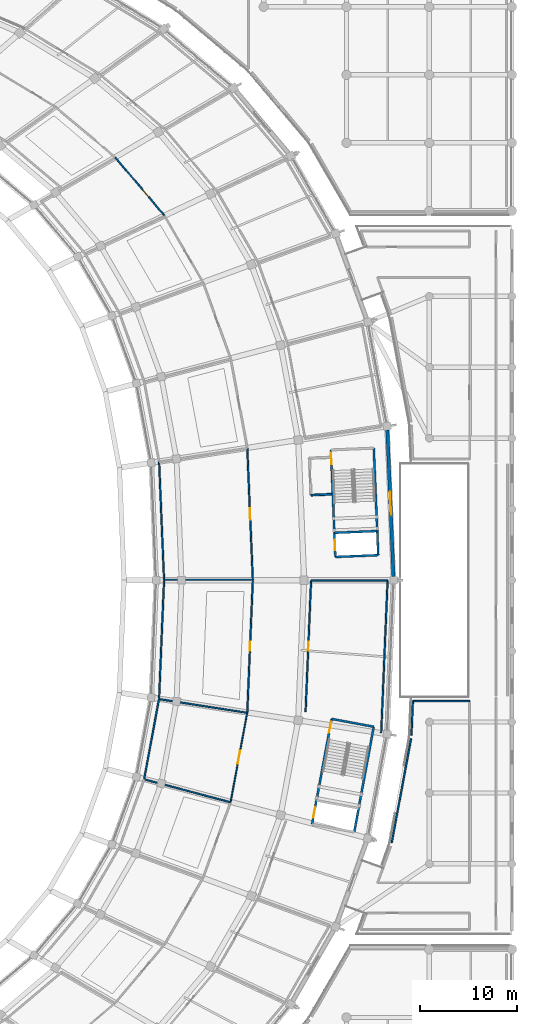
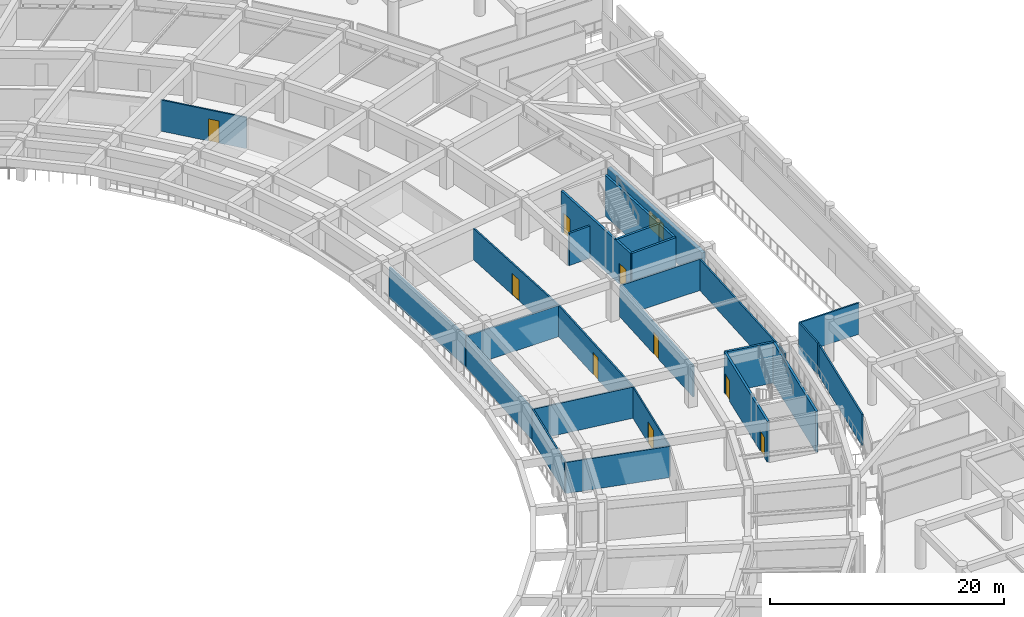
# One storey, part 104 of 145: 25 walls, 9 doors, 1 window, 10 openings.
"""IFC4 building model written with IfcOpenShell, lengths in metres."""

from ifc_helpers import new_model, si_unit, direction, frame, frame_2d, origin, place, context, subcontext, project, spatial, rectangle, extrude, material, layer, layer_set, type_object, element, fill, save


model = new_model("IFC4")

# Units and contexts
model_context = context("Model", 3, precision=1e-05, world=origin(), true_north=direction((0.0, 1.0)))
body_context = subcontext(model_context, "Body", "Model", "MODEL_VIEW")
ifc_project = project(units=[si_unit("LENGTHUNIT", "METRE"), si_unit("AREAUNIT", "SQUARE_METRE"), si_unit("VOLUMEUNIT", "CUBIC_METRE"), si_unit("PLANEANGLEUNIT", "RADIAN"), si_unit("MASSUNIT", "GRAM", prefix="KILO")], contexts=[model_context])

# Site, building, storey
site_placement = place(None, origin())
site = spatial("IfcSite", under=ifc_project, at=site_placement, CompositionType="ELEMENT")
building_placement = place(site_placement, origin())
building = spatial("IfcBuilding", under=site, at=building_placement, Name="Mphavela Belvedere Stadium", CompositionType="ELEMENT")
storey_placement = place(building_placement, frame((0.0, 0.0, 10.199951171875)))
storey = spatial("IfcBuildingStorey", under=building, at=storey_placement, Name="L02", CompositionType="ELEMENT", Elevation=10.199951171875)

# Walls
ifc_material_1 = material(Name="Concrete C40/50", Category="concrete")
ifc_layer_1 = layer(ifc_material_1, 0.219970703125)
ifc_layer_set_1 = layer_set([ifc_layer_1], Name="Concrete C40/50")
wall_type_1 = type_object("IfcWallType", Name="WAL-CORE-SHEAR-220", PredefinedType="SHEAR", material=ifc_layer_set_1)
wall_1_placement = place(storey_placement, frame((215.771728515625, 100.585205078125, 0.0), z_axis=(0.0, 0.0, 1.0), x_axis=(0.041871977473, -0.999122984173, 0.0)))
element("IfcWall", 1, at=wall_1_placement, inside=storey, type_object=wall_type_1, Name="Core C01 shear wall L02 rear", PredefinedType="SHEAR", context=body_context, shape_type="SweptSolid", body=[
    extrude(rectangle(XDim=11.02001953125, YDim=0.219970703125, at=frame_2d((5.510009765625, 0.0))), origin(), (0.0, 0.0, 1.0), 4.25),
])
wall_2_placement = place(storey_placement, frame((211.826904296875, 89.39013671875, 0.0), z_axis=(0.0, 0.0, 1.0), x_axis=(0.999121521721, 0.041906859039, 0.0)))
element("IfcWall", 2, at=wall_2_placement, inside=storey, type_object=wall_type_1, Name="Core C01 shear wall L02 right", PredefinedType="SHEAR", context=body_context, shape_type="SweptSolid", body=[
    extrude(rectangle(XDim=4.41015625, YDim=0.219970703125, at=frame_2d((2.205078125, 0.0))), origin(), (0.0, 0.0, 1.0), 4.25),
])

# Wall, openings, doors
wall_3_placement = place(storey_placement, frame((211.365478515625, 100.400390625, 0.0), z_axis=(0.0, 0.0, 1.0), x_axis=(0.041871977473, -0.999122984173, 0.0)))
wall_3 = element("IfcWall", 3, at=wall_3_placement, inside=storey, type_object=wall_type_1, Name="Core C01 shear wall L02 front", PredefinedType="SHEAR", context=body_context, shape_type="SweptSolid", body=[
    extrude(rectangle(XDim=11.02001953125, YDim=0.219970703125, at=frame_2d((5.510009765625, 0.0))), origin(), (0.0, 0.0, 1.0), 4.25),
])
opening_1_placement = place(wall_3_placement, frame((0.300048828125, 0.0, 0.0)))
opening_1 = element("IfcOpeningElement", 4, at=opening_1_placement, cuts=wall_3, Name="Opening SD-003", PredefinedType="OPENING", context=body_context, shape_type="SweptSolid", body=[
    extrude(rectangle(XDim=1.14990234375, YDim=2.14990234375, at=frame_2d((0.574951171875, 1.074951171875))), frame((0.0, 0.1201171875, 0.0), z_axis=(0.0, -1.0, 0.0), x_axis=(1.0, 0.0, 0.0)), (0.0, 0.0, 1.0), 0.239990234375),
])
opening_2_placement = place(wall_3_placement, frame((9.22998046875, 0.0, 0.0)))
opening_2 = element("IfcOpeningElement", 5, at=opening_2_placement, cuts=wall_3, Name="Opening LD-003", PredefinedType="OPENING", context=body_context, shape_type="SweptSolid", body=[
    extrude(rectangle(XDim=1.10009765625, YDim=2.14990234375, at=frame_2d((0.550048828125, 1.074951171875))), frame((0.0, 0.1201171875, 0.0), z_axis=(0.0, -1.0, 0.0), x_axis=(1.0, 0.0, 0.0)), (0.0, 0.0, 1.0), 0.239990234375),
])
ifc_material_2 = material(Name="Stainless steel center-parting lift landing door", Category="steel")
door_type_1 = type_object("IfcDoorType", Name="DR-LIFT-SLIDE-1100", OperationType="NOTDEFINED", PredefinedType="DOOR", material=ifc_material_2)
door_1_placement = place(opening_2_placement, origin())
door_1 = element("IfcDoor", 6, at=door_1_placement, inside=storey, type_object=door_type_1, Name="Lift landing sliding door FL01 L02", OperationType="DOUBLE_DOOR_SLIDING", OverallHeight=2.14990234375, OverallWidth=1.10009765625, PredefinedType="DOOR", context=body_context, shape_type="SweptSolid", body=[
    extrude(rectangle(XDim=1.10009765625, YDim=2.14990234375, at=frame_2d((0.550048828125, 1.074951171875))), frame((0.0, 0.02490234375, 0.0), z_axis=(0.0, -1.0, 0.0), x_axis=(1.0, 0.0, 0.0)), (0.0, 0.0, 1.0), 0.050048828125),
])
fill(opening_2, door_1)
ifc_material_3 = material(Name="Steel acoustic fire-resisting stair doorset", Category="steel")
door_type_2 = type_object("IfcDoorType", Name="DR-STAIR-FIRE-1150", OperationType="NOTDEFINED", PredefinedType="DOOR", material=ifc_material_3)
door_2_placement = place(opening_1_placement, origin())
door_2 = element("IfcDoor", 7, at=door_2_placement, inside=storey, type_object=door_type_2, Name="Escape stair fire door C01 L02", OperationType="SINGLE_SWING_LEFT", OverallHeight=2.14990234375, OverallWidth=1.14990234375, PredefinedType="DOOR", context=body_context, shape_type="SweptSolid", body=[
    extrude(rectangle(XDim=1.14990234375, YDim=2.14990234375, at=frame_2d((0.574951171875, 1.074951171875))), frame((0.0, 0.02490234375, 0.0), z_axis=(0.0, -1.0, 0.0), x_axis=(1.0, 0.0, 0.0)), (0.0, 0.0, 1.0), 0.050048828125),
])
fill(opening_1, door_2)

# Walls
wall_4_placement = place(storey_placement, frame((211.72314453125, 91.867919921875, 0.0), z_axis=(0.0, 0.0, 1.0), x_axis=(0.999121521721, 0.041906859039, 0.0)))
element("IfcWall", 8, at=wall_4_placement, inside=storey, type_object=wall_type_1, Name="Core C01 shear wall L02 div", PredefinedType="SHEAR", context=body_context, shape_type="SweptSolid", body=[
    extrude(rectangle(XDim=4.41015625, YDim=0.219970703125, at=frame_2d((2.205078125, 0.0))), origin(), (0.0, 0.0, 1.0), 4.25),
])
wall_5_placement = place(storey_placement, frame((215.771728515625, 71.914794921875, 0.0), z_axis=(0.0, 0.0, 1.0), x_axis=(-0.182574755222, -0.983191974517, 0.0)))
element("IfcWall", 9, at=wall_5_placement, inside=storey, type_object=wall_type_1, Name="Core C12 shear wall L02 rear", PredefinedType="SHEAR", context=body_context, shape_type="SweptSolid", body=[
    extrude(rectangle(XDim=11.02001953125, YDim=0.219970703125, at=frame_2d((5.510009765625, 0.0))), origin(), (0.0, 0.0, 1.0), 4.25),
])
wall_6_placement = place(storey_placement, frame((211.43603515625, 72.72021484375, 0.0), z_axis=(0.0, 0.0, 1.0), x_axis=(0.983179789985, -0.182640358532, 0.0)))
element("IfcWall", 10, at=wall_6_placement, inside=storey, type_object=wall_type_1, Name="Core C12 shear wall L02 left", PredefinedType="SHEAR", context=body_context, shape_type="SweptSolid", body=[
    extrude(rectangle(XDim=4.409912109375, YDim=0.219970703125, at=frame_2d((2.205078125, 0.0))), origin(), (0.0, 0.0, 1.0), 4.25),
])

# Wall, openings, doors
wall_7_placement = place(storey_placement, frame((211.43603515625, 72.72021484375, 0.0), z_axis=(0.0, 0.0, 1.0), x_axis=(-0.182570778451, -0.983192712979, 0.0)))
wall_7 = element("IfcWall", 11, at=wall_7_placement, inside=storey, type_object=wall_type_1, Name="Core C12 shear wall L02 front", PredefinedType="SHEAR", context=body_context, shape_type="SweptSolid", body=[
    extrude(rectangle(XDim=11.020263671875, YDim=0.219970703125, at=frame_2d((5.51025390625, 0.0))), origin(), (0.0, 0.0, 1.0), 4.25),
])
opening_3_placement = place(wall_7_placement, frame((0.300048828125, 0.0, 0.0)))
opening_3 = element("IfcOpeningElement", 12, at=opening_3_placement, cuts=wall_7, Name="Opening SD-064", PredefinedType="OPENING", context=body_context, shape_type="SweptSolid", body=[
    extrude(rectangle(XDim=1.14990234375, YDim=2.14990234375, at=frame_2d((0.574951171875, 1.074951171875))), frame((0.0, 0.1201171875, 0.0), z_axis=(0.0, -1.0, 0.0), x_axis=(1.0, 0.0, 0.0)), (0.0, 0.0, 1.0), 0.239990234375),
])
opening_4_placement = place(wall_7_placement, frame((9.22998046875, 0.0, 0.0)))
opening_4 = element("IfcOpeningElement", 13, at=opening_4_placement, cuts=wall_7, Name="Opening LD-064", PredefinedType="OPENING", context=body_context, shape_type="SweptSolid", body=[
    extrude(rectangle(XDim=1.10009765625, YDim=2.14990234375, at=frame_2d((0.550048828125, 1.074951171875))), frame((0.0, 0.1201171875, 0.0), z_axis=(0.0, -1.0, 0.0), x_axis=(1.0, 0.0, 0.0)), (0.0, 0.0, 1.0), 0.239990234375),
])
door_3_placement = place(opening_4_placement, origin())
door_3 = element("IfcDoor", 14, at=door_3_placement, inside=storey, type_object=door_type_1, Name="Lift landing sliding door PL06 L02", OperationType="DOUBLE_DOOR_SLIDING", OverallHeight=2.14990234375, OverallWidth=1.10009765625, PredefinedType="DOOR", context=body_context, shape_type="SweptSolid", body=[
    extrude(rectangle(XDim=1.10009765625, YDim=2.14990234375, at=frame_2d((0.550048828125, 1.074951171875))), frame((0.0, 0.02490234375, 0.0), z_axis=(0.0, -1.0, 0.0), x_axis=(1.0, 0.0, 0.0)), (0.0, 0.0, 1.0), 0.050048828125),
])
fill(opening_4, door_3)
door_4_placement = place(opening_3_placement, origin())
door_4 = element("IfcDoor", 15, at=door_4_placement, inside=storey, type_object=door_type_2, Name="Escape stair fire door C12 L02", OperationType="SINGLE_SWING_RIGHT", OverallHeight=2.14990234375, OverallWidth=1.14990234375, PredefinedType="DOOR", context=body_context, shape_type="SweptSolid", body=[
    extrude(rectangle(XDim=1.14990234375, YDim=2.14990234375, at=frame_2d((0.574951171875, 1.074951171875))), frame((0.0, 0.02490234375, 0.0), z_axis=(0.0, -1.0, 0.0), x_axis=(1.0, 0.0, 0.0)), (0.0, 0.0, 1.0), 0.050048828125),
])
fill(opening_3, door_4)

# Wall, opening, window
ifc_material_4 = material(Name="Honed ashlar limestone masonry", Category="masonry")
ifc_layer_2 = layer(ifc_material_4, 0.35009765625)
ifc_layer_set_2 = layer_set([ifc_layer_2], Name="Honed ashlar limestone masonry")
wall_type_2 = type_object("IfcWallType", Name="WAL-EXT-ASHLAR-350", PredefinedType="STANDARD", material=ifc_layer_set_2)
wall_8_placement = place(storey_placement, frame((217.80322265625, 87.397705078125, 0.0), z_axis=(0.0, 0.0, 1.0), x_axis=(-0.041898189147, 0.99912188533, 0.0)))
wall_8 = element("IfcWall", 16, at=wall_8_placement, inside=storey, type_object=wall_type_2, Name="Classical ashlar facade wall L02-01", PredefinedType="STANDARD", context=body_context, shape_type="SweptSolid", body=[
    extrude(rectangle(XDim=15.062744140625, YDim=0.35009765625, at=frame_2d((7.53125, 0.0))), origin(), (0.0, 0.0, 1.0), 3.420166015625),
])
opening_5_placement = place(wall_8_placement, frame((6.351318359375, 0.0, 0.89990234375)))
opening_5 = element("IfcOpeningElement", 17, at=opening_5_placement, cuts=wall_8, Name="Opening W-021", PredefinedType="OPENING", context=body_context, shape_type="SweptSolid", body=[
    extrude(rectangle(XDim=2.360107421875, YDim=1.75, at=frame_2d((1.18017578125, 0.875))), frame((0.0, 0.18505859375, 0.0), z_axis=(0.0, -1.0, 0.0), x_axis=(1.0, 0.0, 0.0)), (0.0, 0.0, 1.0), 0.3701171875),
])
ifc_material_5 = material(Name="Bronze-anodised thermally broken aluminium window", Category="aluminium")
window_type = type_object("IfcWindowType", Name="WIN-EXT-21", PartitioningType="SINGLE_PANEL", PredefinedType="WINDOW", material=ifc_material_5)
window_placement = place(opening_5_placement, origin())
window = element("IfcWindow", 18, at=window_placement, inside=storey, type_object=window_type, Name="Belvedere gallery window W-021", OverallHeight=1.75, OverallWidth=2.360107421875, PartitioningType="SINGLE_PANEL", PredefinedType="WINDOW", context=body_context, shape_type="SweptSolid", body=[
    extrude(rectangle(XDim=2.360107421875, YDim=1.75, at=frame_2d((1.18017578125, 0.875))), frame((0.0, 0.030029296875, 0.0), z_axis=(0.0, -1.0, 0.0), x_axis=(1.0, 0.0, 0.0)), (0.0, 0.0, 1.0), 0.06005859375),
])
fill(opening_5, window)

# Wall, opening, door
ifc_material_6 = material(Name="Moisture-resistant sanitary partition assembly")
ifc_layer_3 = layer(ifc_material_6, 0.125)
ifc_layer_set_3 = layer_set([ifc_layer_3], Name="Moisture-resistant sanitary partition assembly")
wall_type_3 = type_object("IfcWallType", Name="WAL-PART-125", PredefinedType="PARTITIONING", material=ifc_layer_set_3)
wall_9_placement = place(storey_placement, frame((202.748779296875, 73.34912109375, 0.0), z_axis=(0.0, 0.0, 1.0), x_axis=(-0.182600545941, -0.983187184936, 0.0)))
wall_9 = element("IfcWall", 19, at=wall_9_placement, inside=storey, type_object=wall_type_3, Name="Room L02-157 corridor partition", PredefinedType="PARTITIONING", context=body_context, shape_type="SweptSolid", body=[
    extrude(rectangle(XDim=9.2841796875, YDim=0.125, at=frame_2d((4.64208984375, 0.0))), origin(), (0.0, 0.0, 1.0), 3.25),
])
opening_6_placement = place(wall_9_placement, frame((3.942138671875, 0.0, 0.0)))
opening_6 = element("IfcOpeningElement", 20, at=opening_6_placement, cuts=wall_9, Name="Opening ID-240", PredefinedType="OPENING", context=body_context, shape_type="SweptSolid", body=[
    extrude(rectangle(XDim=1.39990234375, YDim=2.199951171875, at=frame_2d((0.699951171875, 1.10009765625))), frame((0.0, 0.072509765625, 0.0), z_axis=(0.0, -1.0, 0.0), x_axis=(1.0, 0.0, 0.0)), (0.0, 0.0, 1.0), 0.14501953125),
])
ifc_material_7 = material(Name="Hardwood acoustic timber doorset", Category="wood")
door_type_3 = type_object("IfcDoorType", Name="DR-INT-24", OperationType="NOTDEFINED", PredefinedType="DOOR", material=ifc_material_7)
door_5_placement = place(opening_6_placement, origin())
door_5 = element("IfcDoor", 21, at=door_5_placement, inside=storey, type_object=door_type_3, Name="Room L02-157 entrance door ID-240", OperationType="SINGLE_SWING_RIGHT", OverallHeight=2.199951171875, OverallWidth=1.39990234375, PredefinedType="DOOR", context=body_context, shape_type="SweptSolid", body=[
    extrude(rectangle(XDim=1.39990234375, YDim=2.199951171875, at=frame_2d((0.699951171875, 1.10009765625))), frame((0.0, 0.02490234375, 0.0), z_axis=(0.0, -1.0, 0.0), x_axis=(1.0, 0.0, 0.0)), (0.0, 0.0, 1.0), 0.050048828125),
])
fill(opening_6, door_5)

ifc_material_8 = material(Name="Acoustic gypsum stud partition assembly")
ifc_layer_4 = layer(ifc_material_8, 0.14990234375)
ifc_layer_set_4 = layer_set([ifc_layer_4], Name="Acoustic gypsum stud partition assembly")
wall_type_4 = type_object("IfcWallType", Name="WAL-PART-150", PredefinedType="PARTITIONING", material=ifc_layer_set_4)
wall_10_placement = place(storey_placement, frame((202.7578125, 100.5712890625, 0.0), z_axis=(0.0, 0.0, 1.0), x_axis=(0.041894479342, -0.999122040894, 0.0)))
wall_10 = element("IfcWall", 22, at=wall_10_placement, inside=storey, type_object=wall_type_4, Name="Room L02-34 corridor partition", PredefinedType="PARTITIONING", context=body_context, shape_type="SweptSolid", body=[
    extrude(rectangle(XDim=13.543212890625, YDim=0.14990234375, at=frame_2d((6.771484375, 0.0))), origin(), (0.0, 0.0, 1.0), 3.25),
])
opening_7_placement = place(wall_10_placement, frame((6.20166015625, 0.0, 0.0)))
opening_7 = element("IfcOpeningElement", 23, at=opening_7_placement, cuts=wall_10, Name="Opening ID-163", PredefinedType="OPENING", context=body_context, shape_type="SweptSolid", body=[
    extrude(rectangle(XDim=1.139892578125, YDim=2.199951171875, at=frame_2d((0.56982421875, 1.10009765625))), frame((0.0, 0.0849609375, 0.0), z_axis=(0.0, -1.0, 0.0), x_axis=(1.0, 0.0, 0.0)), (0.0, 0.0, 1.0), 0.169921875),
])
ifc_material_9 = material(Name="Hardwood acoustic timber doorset", Category="wood")
door_type_4 = type_object("IfcDoorType", Name="DR-INT-19", OperationType="NOTDEFINED", PredefinedType="DOOR", material=ifc_material_9)
door_6_placement = place(opening_7_placement, origin())
door_6 = element("IfcDoor", 24, at=door_6_placement, inside=storey, type_object=door_type_4, Name="Room L02-34 entrance door ID-163", OperationType="SINGLE_SWING_LEFT", OverallHeight=2.199951171875, OverallWidth=1.139892578125, PredefinedType="DOOR", context=body_context, shape_type="SweptSolid", body=[
    extrude(rectangle(XDim=1.139892578125, YDim=2.199951171875, at=frame_2d((0.56982421875, 1.10009765625))), frame((0.0, 0.02490234375, 0.0), z_axis=(0.0, -1.0, 0.0), x_axis=(1.0, 0.0, 0.0)), (0.0, 0.0, 1.0), 0.050048828125),
])
fill(opening_7, door_6)

wall_11_placement = place(storey_placement, frame((189.193115234375, 130.481689453125, 0.0), z_axis=(0.0, 0.0, 1.0), x_axis=(0.645180817826, -0.764029915847, 0.0)))
wall_11 = element("IfcWall", 25, at=wall_11_placement, inside=storey, type_object=wall_type_4, Name="Room L02-45 corridor partition", PredefinedType="PARTITIONING", context=body_context, shape_type="SweptSolid", body=[
    extrude(rectangle(XDim=7.779296875, YDim=0.14990234375, at=frame_2d((3.8896484375, 0.0))), origin(), (0.0, 0.0, 1.0), 3.25),
])
opening_8_placement = place(wall_11_placement, frame((4.349609375, 0.0, 0.0)))
opening_8 = element("IfcOpeningElement", 26, at=opening_8_placement, cuts=wall_11, Name="Opening ID-170", PredefinedType="OPENING", context=body_context, shape_type="SweptSolid", body=[
    extrude(rectangle(XDim=0.93994140625, YDim=2.300048828125, at=frame_2d((0.469970703125, 1.14990234375))), frame((0.0, 0.0849609375, 0.0), z_axis=(0.0, -1.0, 0.0), x_axis=(1.0, 0.0, 0.0)), (0.0, 0.0, 1.0), 0.169921875),
])
ifc_material_10 = material(Name="Hardwood acoustic timber doorset", Category="wood")
door_type_5 = type_object("IfcDoorType", Name="DR-INT-26", OperationType="NOTDEFINED", PredefinedType="DOOR", material=ifc_material_10)
door_7_placement = place(opening_8_placement, origin())
door_7 = element("IfcDoor", 27, at=door_7_placement, inside=storey, type_object=door_type_5, Name="Room L02-45 entrance door ID-170", OperationType="SINGLE_SWING_RIGHT", OverallHeight=2.300048828125, OverallWidth=0.93994140625, PredefinedType="DOOR", context=body_context, shape_type="SweptSolid", body=[
    extrude(rectangle(XDim=0.93994140625, YDim=2.300048828125, at=frame_2d((0.469970703125, 1.14990234375))), frame((0.0, 0.02490234375, 0.0), z_axis=(0.0, -1.0, 0.0), x_axis=(1.0, 0.0, 0.0)), (0.0, 0.0, 1.0), 0.050048828125),
])
fill(opening_8, door_7)

wall_12_placement = place(storey_placement, frame((203.3251953125, 86.9599609375, 0.0), z_axis=(0.0, 0.0, 1.0), x_axis=(-0.041894479342, -0.999122040894, 0.0)))
wall_12 = element("IfcWall", 28, at=wall_12_placement, inside=storey, type_object=wall_type_4, Name="Room L02-159 corridor partition", PredefinedType="PARTITIONING", context=body_context, shape_type="SweptSolid", body=[
    extrude(rectangle(XDim=13.543212890625, YDim=0.14990234375, at=frame_2d((6.771484375, 0.0))), origin(), (0.0, 0.0, 1.0), 3.25),
])
opening_9_placement = place(wall_12_placement, frame((6.321533203125, 0.0, 0.0)))
opening_9 = element("IfcOpeningElement", 29, at=opening_9_placement, cuts=wall_12, Name="Opening ID-241", PredefinedType="OPENING", context=body_context, shape_type="SweptSolid", body=[
    extrude(rectangle(XDim=0.89990234375, YDim=2.300048828125, at=frame_2d((0.449951171875, 1.14990234375))), frame((0.0, 0.0849609375, 0.0), z_axis=(0.0, -1.0, 0.0), x_axis=(1.0, 0.0, 0.0)), (0.0, 0.0, 1.0), 0.169921875),
])
ifc_material_11 = material(Name="Hardwood acoustic timber doorset", Category="wood")
door_type_6 = type_object("IfcDoorType", Name="DR-INT-25", OperationType="NOTDEFINED", PredefinedType="DOOR", material=ifc_material_11)
door_8_placement = place(opening_9_placement, origin())
door_8 = element("IfcDoor", 30, at=door_8_placement, inside=storey, type_object=door_type_6, Name="Room L02-159 entrance door ID-241", OperationType="SINGLE_SWING_LEFT", OverallHeight=2.300048828125, OverallWidth=0.89990234375, PredefinedType="DOOR", context=body_context, shape_type="SweptSolid", body=[
    extrude(rectangle(XDim=0.89990234375, YDim=2.300048828125, at=frame_2d((0.449951171875, 1.14990234375))), frame((0.0, 0.02490234375, 0.0), z_axis=(0.0, -1.0, 0.0), x_axis=(1.0, 0.0, 0.0)), (0.0, 0.0, 1.0), 0.050048828125),
])
fill(opening_9, door_8)

wall_13_placement = place(storey_placement, frame((208.756103515625, 73.4619140625, 0.0), z_axis=(0.0, 0.0, 1.0), x_axis=(0.04192519436, 0.999120752501, 0.0)))
wall_13 = element("IfcWall", 31, at=wall_13_placement, inside=storey, type_object=wall_type_4, Name="Room L02-160 corridor partition", PredefinedType="PARTITIONING", context=body_context, shape_type="SweptSolid", body=[
    extrude(rectangle(XDim=13.510009765625, YDim=0.14990234375, at=frame_2d((6.7548828125, 0.0))), origin(), (0.0, 0.0, 1.0), 3.25),
])
opening_10_placement = place(wall_13_placement, frame((6.284912109375, 0.0, 0.0)))
opening_10 = element("IfcOpeningElement", 32, at=opening_10_placement, cuts=wall_13, Name="Opening ID-242", PredefinedType="OPENING", context=body_context, shape_type="SweptSolid", body=[
    extrude(rectangle(XDim=0.93994140625, YDim=2.300048828125, at=frame_2d((0.469970703125, 1.14990234375))), frame((0.0, 0.0849609375, 0.0), z_axis=(0.0, -1.0, 0.0), x_axis=(1.0, 0.0, 0.0)), (0.0, 0.0, 1.0), 0.169921875),
])
door_9_placement = place(opening_10_placement, origin())
door_9 = element("IfcDoor", 33, at=door_9_placement, inside=storey, type_object=door_type_5, Name="Room L02-160 entrance door ID-242", OperationType="SINGLE_SWING_RIGHT", OverallHeight=2.300048828125, OverallWidth=0.93994140625, PredefinedType="DOOR", context=body_context, shape_type="SweptSolid", body=[
    extrude(rectangle(XDim=0.93994140625, YDim=2.300048828125, at=frame_2d((0.469970703125, 1.14990234375))), frame((0.0, 0.02490234375, 0.0), z_axis=(0.0, -1.0, 0.0), x_axis=(1.0, 0.0, 0.0)), (0.0, 0.0, 1.0), 0.050048828125),
])
fill(opening_10, door_9)

# Walls
wall_14_placement = place(storey_placement, frame((194.1904296875, 87.0400390625, 0.0), z_axis=(0.0, 0.0, 1.0), x_axis=(-0.041909219346, 0.999121422718, 0.0)))
element("IfcWall", 34, at=wall_14_placement, inside=storey, type_object=wall_type_4, Name="Room divider partition L02-0286", PredefinedType="PARTITIONING", context=body_context, shape_type="SweptSolid", body=[
    extrude(rectangle(XDim=12.134521484375, YDim=0.14990234375, at=frame_2d((6.0673828125, 0.0))), origin(), (0.0, 0.0, 1.0), 3.25),
])
wall_15_placement = place(storey_placement, frame((203.3251953125, 87.0400390625, 0.0), z_axis=(0.0, 0.0, 1.0), x_axis=(-1.0, 0.0, 0.0)))
element("IfcWall", 35, at=wall_15_placement, inside=storey, type_object=wall_type_4, Name="Room divider partition L02-0288", PredefinedType="PARTITIONING", context=body_context, shape_type="SweptSolid", body=[
    extrude(rectangle(XDim=9.134765625, YDim=0.14990234375, at=frame_2d((4.5673828125, 0.0))), origin(), (0.0, 0.0, 1.0), 3.25),
])
wall_16_placement = place(storey_placement, frame((192.133056640625, 66.50390625, 0.0), z_axis=(0.0, 0.0, 1.0), x_axis=(0.96658744027, -0.256337122383, 0.0)))
element("IfcWall", 36, at=wall_16_placement, inside=storey, type_object=wall_type_4, Name="Room divider partition L02-0428", PredefinedType="PARTITIONING", context=body_context, shape_type="SweptSolid", body=[
    extrude(rectangle(XDim=9.20703125, YDim=0.14990234375, at=frame_2d((4.603515625, 0.0))), origin(), (0.0, 0.0, 1.0), 3.25),
])
wall_17_placement = place(storey_placement, frame((192.154052734375, 66.5810546875, 0.0), z_axis=(0.0, 0.0, 1.0), x_axis=(0.182614898171, 0.983184519287, 0.0)))
element("IfcWall", 37, at=wall_17_placement, inside=storey, type_object=wall_type_4, Name="Room divider partition L02-0429", PredefinedType="PARTITIONING", context=body_context, shape_type="SweptSolid", body=[
    extrude(rectangle(XDim=8.315673828125, YDim=0.14990234375, at=frame_2d((4.15771484375, 0.0))), origin(), (0.0, 0.0, 1.0), 3.25),
])
wall_18_placement = place(storey_placement, frame((193.672607421875, 74.7568359375, 0.0), z_axis=(0.0, 0.0, 1.0), x_axis=(0.988184734008, -0.15326751604, 0.0)))
element("IfcWall", 38, at=wall_18_placement, inside=storey, type_object=wall_type_4, Name="Room divider partition L02-0430", PredefinedType="PARTITIONING", context=body_context, shape_type="SweptSolid", body=[
    extrude(rectangle(XDim=9.1845703125, YDim=0.14990234375, at=frame_2d((4.59228515625, 0.0))), origin(), (0.0, 0.0, 1.0), 3.25),
])
wall_19_placement = place(storey_placement, frame((193.681884765625, 74.836181640625, 0.0), z_axis=(0.0, 0.0, 1.0), x_axis=(0.041909219346, 0.999121422718, 0.0)))
element("IfcWall", 39, at=wall_19_placement, inside=storey, type_object=wall_type_4, Name="Room divider partition L02-0431", PredefinedType="PARTITIONING", context=body_context, shape_type="SweptSolid", body=[
    extrude(rectangle(XDim=12.134521484375, YDim=0.14990234375, at=frame_2d((6.0673828125, 0.0))), origin(), (0.0, 0.0, 1.0), 3.25),
])
wall_20_placement = place(storey_placement, frame((217.1962890625, 86.9599609375, 0.0), z_axis=(0.0, 0.0, 1.0), x_axis=(-0.041907682199, -0.999121487194, 0.0)))
element("IfcWall", 40, at=wall_20_placement, inside=storey, type_object=wall_type_4, Name="Room divider partition L02-0432", PredefinedType="PARTITIONING", context=body_context, shape_type="SweptSolid", body=[
    extrude(rectangle(XDim=15.6826171875, YDim=0.14990234375, at=frame_2d((7.84130859375, 0.0))), origin(), (0.0, 0.0, 1.0), 3.25),
])
wall_21_placement = place(storey_placement, frame((209.322509765625, 86.9599609375, 0.0), z_axis=(0.0, 0.0, 1.0), x_axis=(1.0, 0.0, 0.0)))
element("IfcWall", 41, at=wall_21_placement, inside=storey, type_object=wall_type_4, Name="Room divider partition L02-0433", PredefinedType="PARTITIONING", context=body_context, shape_type="SweptSolid", body=[
    extrude(rectangle(XDim=7.873779296875, YDim=0.14990234375, at=frame_2d((3.93701171875, 0.0))), origin(), (0.0, 0.0, 1.0), 3.25),
])
wall_22_placement = place(storey_placement, frame((217.62255859375, 59.98095703125, 0.0), z_axis=(0.0, 0.0, 1.0), x_axis=(0.182620957058, 0.983183393901, 0.0)))
element("IfcWall", 42, at=wall_22_placement, inside=storey, type_object=wall_type_4, Name="Room divider partition L02-1255", PredefinedType="PARTITIONING", context=body_context, shape_type="SweptSolid", body=[
    extrude(rectangle(XDim=10.90087890625, YDim=0.14990234375, at=frame_2d((5.450439453125, 0.0))), origin(), (0.0, 0.0, 1.0), 3.25),
])
wall_23_placement = place(storey_placement, frame((219.6533203125, 71.05029296875, 0.0), z_axis=(0.0, 0.0, 1.0), x_axis=(0.041888559174, 0.999122289117, 0.0)))
element("IfcWall", 43, at=wall_23_placement, inside=storey, type_object=wall_type_4, Name="Room divider partition L02-1256", PredefinedType="PARTITIONING", context=body_context, shape_type="SweptSolid", body=[
    extrude(rectangle(XDim=3.5029296875, YDim=0.14990234375, at=frame_2d((1.75146484375, 0.0))), origin(), (0.0, 0.0, 1.0), 3.25),
])
wall_24_placement = place(storey_placement, frame((219.800048828125, 74.550048828125, 0.0), z_axis=(0.0, 0.0, 1.0), x_axis=(1.0, 0.0, 0.0)))
element("IfcWall", 44, at=wall_24_placement, inside=storey, type_object=wall_type_4, Name="Room divider partition L02-1257", PredefinedType="PARTITIONING", context=body_context, shape_type="SweptSolid", body=[
    extrude(rectangle(XDim=5.83984375, YDim=0.14990234375, at=frame_2d((2.919921875, 0.0))), origin(), (0.0, 0.0, 1.0), 3.25),
])
ifc_material_12 = material(Name="Fire-rated calcium silicate partition assembly")
ifc_layer_5 = layer(ifc_material_12, 0.199951171875)
ifc_layer_set_5 = layer_set([ifc_layer_5], Name="Fire-rated calcium silicate partition assembly")
wall_type_5 = type_object("IfcWallType", Name="WAL-PART-FF-200", PredefinedType="PARTITIONING", material=ifc_layer_set_5)
wall_25_placement = place(storey_placement, frame((209.3134765625, 95.75048828125, 0.0), z_axis=(0.0, 0.0, 1.0), x_axis=(0.999121056799, 0.041917941987, 0.0)))
element("IfcWall", 45, at=wall_25_placement, inside=storey, type_object=wall_type_5, Name="Firefighting lobby side wall R C01 L02", PredefinedType="PARTITIONING", context=body_context, shape_type="SweptSolid", body=[
    extrude(rectangle(XDim=2.1201171875, YDim=0.199951171875, at=frame_2d((1.06005859375, 0.0))), origin(), (0.0, 0.0, 1.0), 3.35009765625),
])

save(model, "model.ifc")
